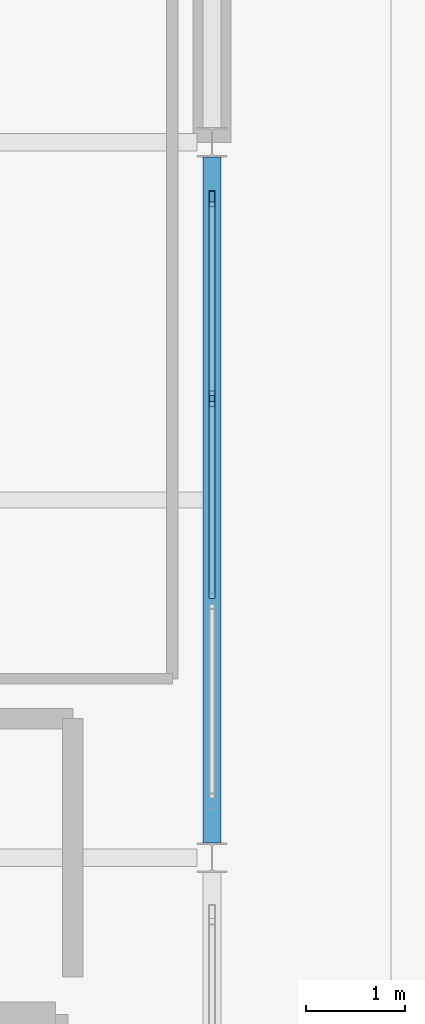
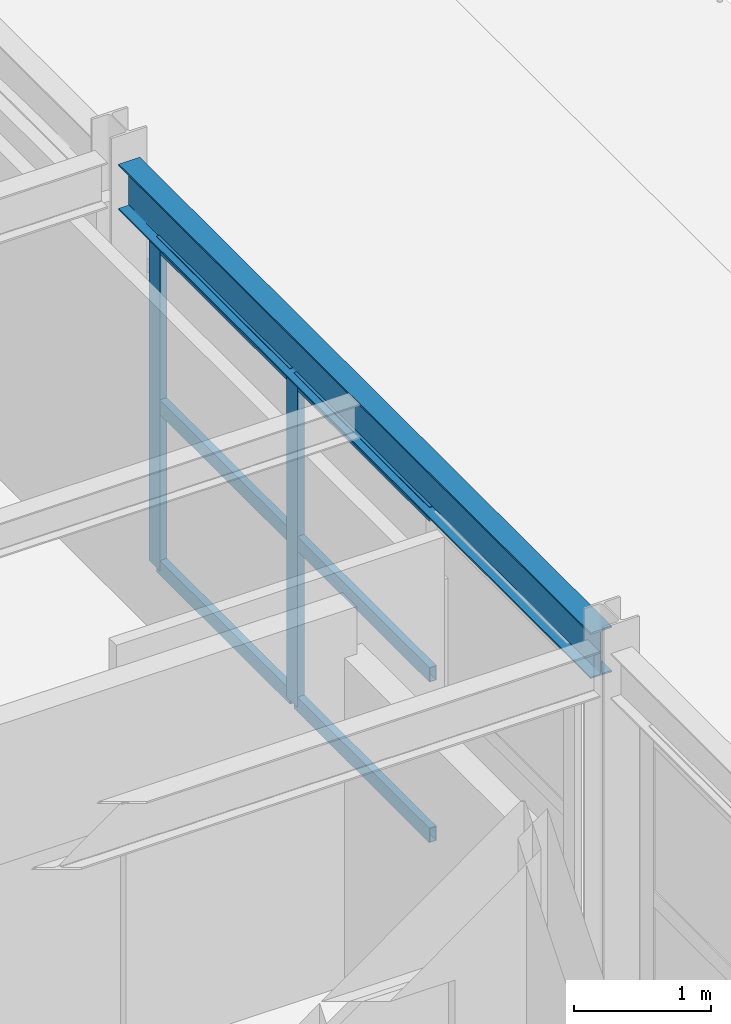
# One storey, part 45 of 73: 8 members, 1 beam, 1 element without a shape of its own.
"""IFC4 building model written with IfcOpenShell, lengths in metres."""

from ifc_helpers import new_model, si_unit, direction, frame, origin, origin_2d, place, context, subcontext, project, spatial, hollow_rectangle, i_section, extrude, material, layer, layer_set, material_profile, profile_set, type_object, element, aggregate, save


model = new_model("IFC4")

# Units and contexts
model_context = context("Model", 3, precision=1e-05, world=origin(), true_north=direction((0.0, 1.0)))
body_context = subcontext(model_context, "Body", "Model", "MODEL_VIEW")
ifc_project = project(units=[si_unit("LENGTHUNIT", "METRE"), si_unit("AREAUNIT", "SQUARE_METRE"), si_unit("VOLUMEUNIT", "CUBIC_METRE"), si_unit("PLANEANGLEUNIT", "RADIAN"), si_unit("MASSUNIT", "GRAM", prefix="KILO")], contexts=[model_context])

# Site, building, storey
site_placement = place(None, origin())
site = spatial("IfcSite", under=ifc_project, at=site_placement, CompositionType="ELEMENT")
building_placement = place(site_placement, origin())
building = spatial("IfcBuilding", under=site, at=building_placement, Name="Carrowvane Square Congress Hotel", CompositionType="ELEMENT")
storey_placement = place(building_placement, frame((0.0, 0.0, 19.199951171875)))
storey = spatial("IfcBuildingStorey", under=building, at=storey_placement, Name="L04", CompositionType="ELEMENT", Elevation=19.199951171875)

# Beam
ifc_material_1 = material(Name="Steel S355", Category="steel")
ifc_material_profile_1 = material_profile(ifc_material_1, i_section(OverallWidth=0.1787109375, OverallDepth=0.409423828125, WebThickness=0.0087890625, FlangeThickness=0.014404296875, FilletRadius=0.01025390625, at=origin_2d()), Name="UKB 406x178x67")
ifc_profile_set_1 = profile_set([ifc_material_profile_1], Name="Steel S355")
beam_type = type_object("IfcBeamType", Name="BM-ST-UKB406", PredefinedType="BEAM", material=ifc_profile_set_1)
beam_placement = place(storey_placement, frame((177.199951171875, 63.14990234375, 3.145263671875), z_axis=(0.0, 1.0, 0.0), x_axis=(-1.0, 0.0, 0.0)))
element("IfcBeam", 1, at=beam_placement, inside=storey, type_object=beam_type, Name="L05 girder 24/J-K", PredefinedType="BEAM", context=body_context, shape_type="SweptSolid", body=[
    extrude(i_section(OverallWidth=0.1787109375, OverallDepth=0.409423828125, WebThickness=0.0087890625, FlangeThickness=0.014404296875, FilletRadius=0.01025390625, at=origin_2d()), origin(), (0.0, 0.0, 1.0), 6.900146484375),
])

# Curtain wall, members
ifc_material_2 = material(Name="Anodised aluminium", Category="aluminium")
ifc_layer = layer(ifc_material_2, 0.18603515625)
ifc_layer_set = layer_set([ifc_layer], Name="Anodised aluminium")
curtain_wall_type = type_object("IfcCurtainWallType", Name="CW-SYS-3", PredefinedType="NOTDEFINED", material=ifc_layer_set)
curtain_wall_placement = place(storey_placement, origin())
curtain_wall = element("IfcCurtainWall", 2, at=curtain_wall_placement, inside=storey, type_object=curtain_wall_type, Name="L04 unitised curtain wall 298", PredefinedType="NOTDEFINED")
ifc_material_3 = material(Name="Anodised aluminium", Category="aluminium")
ifc_material_profile_2 = material_profile(ifc_material_3, hollow_rectangle(XDim=0.06005859375, YDim=0.159912109375, WallThickness=0.00390625, at=origin_2d()), Name="CW-ML 60x160x4")
ifc_profile_set_2 = profile_set([ifc_material_profile_2], Name="Anodised aluminium")
member_type_1 = type_object("IfcMemberType", Name="CW-MUL-1", PredefinedType="MULLION", material=ifc_profile_set_2)
member_1_placement = place(storey_placement, frame((177.199951171875, 69.6298828125, 0.0), z_axis=(0.0, 0.0, 1.0), x_axis=(1.0, 0.0, 0.0)))
member_1 = element("IfcMember", 3, at=member_1_placement, type_object=member_type_1, Name="CW-3 mullion 1", PredefinedType="MULLION", context=body_context, shape_type="SweptSolid", body=[
    extrude(hollow_rectangle(XDim=0.06005859375, YDim=0.159912109375, WallThickness=0.00390625, at=origin_2d()), origin(), (0.0, 0.0, 1.0), 2.925537109375),
])
member_2_placement = place(storey_placement, frame((177.199951171875, 67.6201171875, 0.0), z_axis=(0.0, 0.0, 1.0), x_axis=(1.0, 0.0, 0.0)))
member_2 = element("IfcMember", 4, at=member_2_placement, type_object=member_type_1, Name="CW-3 mullion 2", PredefinedType="MULLION", context=body_context, shape_type="SweptSolid", body=[
    extrude(hollow_rectangle(XDim=0.06005859375, YDim=0.159912109375, WallThickness=0.00390625, at=origin_2d()), origin(), (0.0, 0.0, 1.0), 2.925537109375),
])
ifc_material_4 = material(Name="Anodised aluminium", Category="aluminium")
ifc_material_profile_3 = material_profile(ifc_material_4, hollow_rectangle(XDim=0.06005859375, YDim=0.1298828125, WallThickness=0.00390625, at=origin_2d()), Name="CW-TR 60x130x4")
ifc_profile_set_3 = profile_set([ifc_material_profile_3], Name="Anodised aluminium")
member_type_2 = type_object("IfcMemberType", Name="CW-TRN-1", PredefinedType="USERDEFINED", material=ifc_profile_set_3)
member_3_placement = place(storey_placement, frame((177.199951171875, 69.60009765625, 0.030029296875), z_axis=(0.0, -1.0, 0.0), x_axis=(1.0, 0.0, 0.0)))
member_3 = element("IfcMember", 5, at=member_3_placement, type_object=member_type_2, Name="CW-3 transom 1.1", ObjectType="TRANSOM", PredefinedType="USERDEFINED", context=body_context, shape_type="SweptSolid", body=[
    extrude(hollow_rectangle(XDim=0.06005859375, YDim=0.1298828125, WallThickness=0.00390625, at=origin_2d()), origin(), (0.0, 0.0, 1.0), 1.9501953125),
])
member_4_placement = place(storey_placement, frame((177.199951171875, 69.60009765625, 1.462890625), z_axis=(0.0, -1.0, 0.0), x_axis=(1.0, 0.0, 0.0)))
member_4 = element("IfcMember", 6, at=member_4_placement, type_object=member_type_2, Name="CW-3 transom 1.2", ObjectType="TRANSOM", PredefinedType="USERDEFINED", context=body_context, shape_type="SweptSolid", body=[
    extrude(hollow_rectangle(XDim=0.06005859375, YDim=0.1298828125, WallThickness=0.00390625, at=origin_2d()), origin(), (0.0, 0.0, 1.0), 1.9501953125),
])
member_5_placement = place(storey_placement, frame((177.199951171875, 69.60009765625, 2.895751953125), z_axis=(0.0, -1.0, 0.0), x_axis=(1.0, 0.0, 0.0)))
member_5 = element("IfcMember", 7, at=member_5_placement, type_object=member_type_2, Name="CW-3 transom 1.3", ObjectType="TRANSOM", PredefinedType="USERDEFINED", context=body_context, shape_type="SweptSolid", body=[
    extrude(hollow_rectangle(XDim=0.06005859375, YDim=0.1298828125, WallThickness=0.00390625, at=origin_2d()), origin(), (0.0, 0.0, 1.0), 1.9501953125),
])
member_6_placement = place(storey_placement, frame((177.199951171875, 67.590087890625, 0.030029296875), z_axis=(0.0, -1.0, 0.0), x_axis=(1.0, 0.0, 0.0)))
member_6 = element("IfcMember", 8, at=member_6_placement, type_object=member_type_2, Name="CW-3 transom 2.1", ObjectType="TRANSOM", PredefinedType="USERDEFINED", context=body_context, shape_type="SweptSolid", body=[
    extrude(hollow_rectangle(XDim=0.06005859375, YDim=0.1298828125, WallThickness=0.00390625, at=origin_2d()), origin(), (0.0, 0.0, 1.0), 1.97998046875),
])
member_7_placement = place(storey_placement, frame((177.199951171875, 67.590087890625, 1.462890625), z_axis=(0.0, -1.0, 0.0), x_axis=(1.0, 0.0, 0.0)))
member_7 = element("IfcMember", 9, at=member_7_placement, type_object=member_type_2, Name="CW-3 transom 2.2", ObjectType="TRANSOM", PredefinedType="USERDEFINED", context=body_context, shape_type="SweptSolid", body=[
    extrude(hollow_rectangle(XDim=0.06005859375, YDim=0.1298828125, WallThickness=0.00390625, at=origin_2d()), origin(), (0.0, 0.0, 1.0), 1.97998046875),
])
member_8_placement = place(storey_placement, frame((177.199951171875, 67.590087890625, 2.895751953125), z_axis=(0.0, -1.0, 0.0), x_axis=(1.0, 0.0, 0.0)))
member_8 = element("IfcMember", 10, at=member_8_placement, type_object=member_type_2, Name="CW-3 transom 2.3", ObjectType="TRANSOM", PredefinedType="USERDEFINED", context=body_context, shape_type="SweptSolid", body=[
    extrude(hollow_rectangle(XDim=0.06005859375, YDim=0.1298828125, WallThickness=0.00390625, at=origin_2d()), origin(), (0.0, 0.0, 1.0), 1.97998046875),
])
aggregate(curtain_wall, [member_1, member_2, member_3, member_4, member_5, member_6, member_7, member_8])

save(model, "model.ifc")
